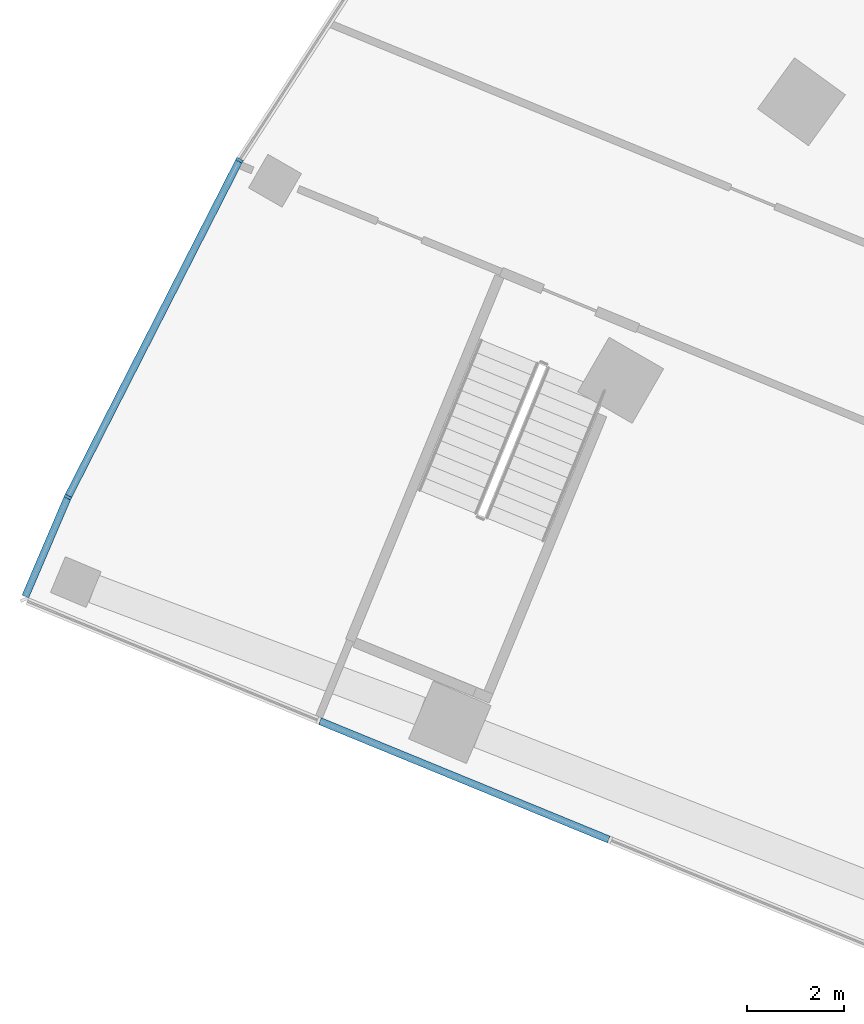
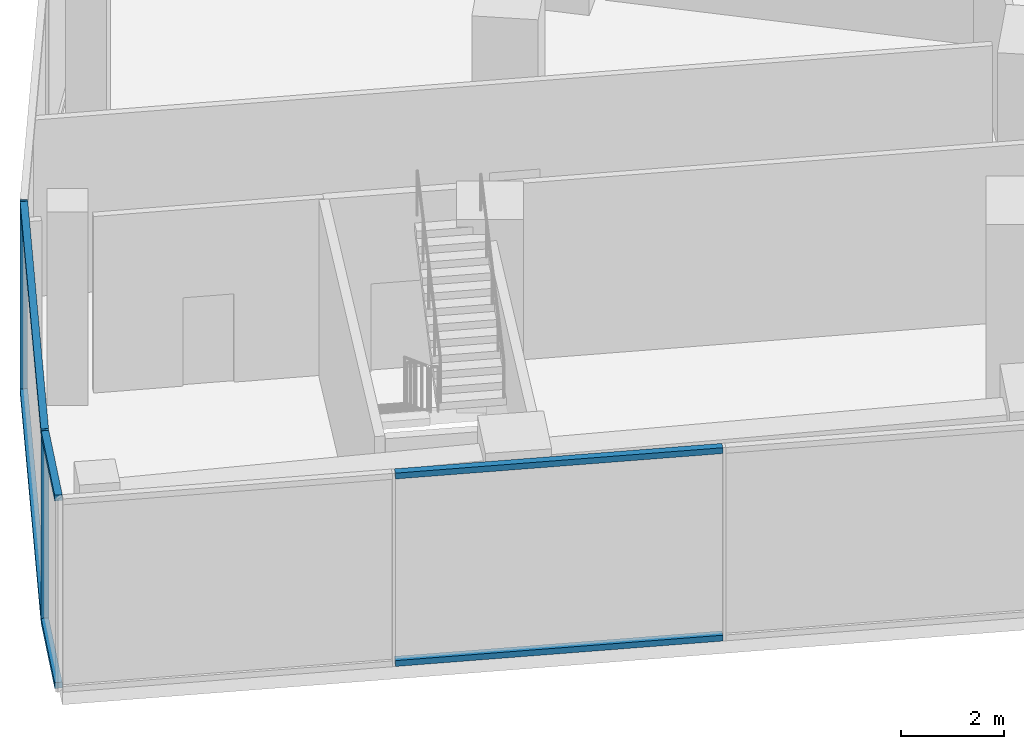
# One storey, part 3 of 40: 8 members, 2 elements without a shape of their own.
"""IFC4 building model written with IfcOpenShell, lengths in metres."""

from ifc_helpers import new_model, si_unit, direction, frame, origin, origin_2d, place, context, subcontext, project, spatial, rectangle, extrude, material, layer, layer_set, material_profile, profile_set, type_object, element, aggregate, save


model = new_model("IFC4")

# Units and contexts
model_context = context("Model", 3, precision=1e-05, world=origin(), true_north=direction((0.0, 1.0)))
body_context = subcontext(model_context, "Body", "Model", "MODEL_VIEW")
ifc_project = project(units=[si_unit("LENGTHUNIT", "METRE"), si_unit("AREAUNIT", "SQUARE_METRE"), si_unit("VOLUMEUNIT", "CUBIC_METRE"), si_unit("PLANEANGLEUNIT", "RADIAN"), si_unit("MASSUNIT", "GRAM", prefix="KILO")], contexts=[model_context])

# Site, building, storey
site_placement = place(None, origin())
site = spatial("IfcSite", under=ifc_project, at=site_placement, CompositionType="ELEMENT")
building_placement = place(site_placement, origin())
building = spatial("IfcBuilding", under=site, at=building_placement, Name="Stone Belt Terrace Tower", CompositionType="ELEMENT")
storey_placement = place(building_placement, frame((0.0, 0.0, 11.60009765625)))
storey = spatial("IfcBuildingStorey", under=building, at=storey_placement, Name="L02", CompositionType="ELEMENT", Elevation=11.60009765625)

# Curtain wall, members
ifc_material = material(Name="Aluminium 6063-T6 anodised frame", Category="aluminium")
ifc_layer = layer(ifc_material, 0.14990234375)
ifc_layer_set = layer_set([ifc_layer], Name="CW-D podium shopfront")
curtain_wall_type = type_object("IfcCurtainWallType", Name="CW-D podium shopfront", PredefinedType="NOTDEFINED", material=ifc_layer_set)
curtain_wall_1_placement = place(storey_placement, origin())
curtain_wall_1 = element("IfcCurtainWall", 1, at=curtain_wall_1_placement, inside=storey, type_object=curtain_wall_type, Name="CW-D convex face L02", PredefinedType="NOTDEFINED")
ifc_material_profile_1 = material_profile(ifc_material, rectangle(XDim=0.14990234375, YDim=0.06005859375, at=origin_2d()), Name="Aluminium 6063-T6 60x150")
ifc_profile_set_1 = profile_set([ifc_material_profile_1], Name="Aluminium 6063-T6 anodised frame")
member_type_1 = type_object("IfcMemberType", Name="CW-D mullion 60 x 150", PredefinedType="MULLION", material=ifc_profile_set_1)
member_1_placement = place(storey_placement, frame((-64.583984375, 37.28759765625, 0.0), z_axis=(0.0, 0.0, 1.0), x_axis=(0.866025403784, -0.5, 0.0)))
member_1 = element("IfcMember", 2, at=member_1_placement, type_object=member_type_1, Name="CW-D mullion 23", PredefinedType="MULLION", context=body_context, shape_type="SweptSolid", body=[
    extrude(rectangle(XDim=0.14990234375, YDim=0.06005859375, at=origin_2d()), origin(), (0.0, 0.0, 1.0), 4.599853515625),
])
member_2_placement = place(storey_placement, frame((-68.127197265625, 30.333740234375, 0.0), z_axis=(0.0, 0.0, 1.0), x_axis=(0.905778201442, -0.423752108895, 0.0)))
member_2 = element("IfcMember", 3, at=member_2_placement, type_object=member_type_1, Name="CW-D mullion 24", PredefinedType="MULLION", context=body_context, shape_type="SweptSolid", body=[
    extrude(rectangle(XDim=0.14990234375, YDim=0.06005859375, at=origin_2d()), origin(), (0.0, 0.0, 1.0), 4.599853515625),
])
ifc_material_profile_2 = material_profile(ifc_material, rectangle(XDim=0.14990234375, YDim=0.139892578125, at=origin_2d()), Name="Aluminium 6063-T6 150x140")
ifc_profile_set_2 = profile_set([ifc_material_profile_2], Name="Aluminium 6063-T6 anodised frame")
member_type_2 = type_object("IfcMemberType", Name="CW-D transom 140 x 150", PredefinedType="USERDEFINED", material=ifc_profile_set_2)
member_3_placement = place(storey_placement, frame((-64.599365234375, 37.25732421875, 0.06982421875), z_axis=(-0.453977770034, -0.891013010183, 0.0), x_axis=(0.891013010183, -0.453977770034, 0.0)))
member_3 = element("IfcMember", 4, at=member_3_placement, type_object=member_type_2, Name="CW-D transom 23.1", ObjectType="TRANSOM", PredefinedType="USERDEFINED", context=body_context, shape_type="SweptSolid", body=[
    extrude(rectangle(XDim=0.14990234375, YDim=0.139892578125, at=origin_2d()), origin(), (0.0, 0.0, 1.0), 7.738037109375),
])
member_4_placement = place(storey_placement, frame((-64.599365234375, 37.25732421875, 4.52978515625), z_axis=(-0.453977770034, -0.891013010183, 0.0), x_axis=(0.891013010183, -0.453977770034, 0.0)))
member_4 = element("IfcMember", 5, at=member_4_placement, type_object=member_type_2, Name="CW-D transom 23.2", ObjectType="TRANSOM", PredefinedType="USERDEFINED", context=body_context, shape_type="SweptSolid", body=[
    extrude(rectangle(XDim=0.14990234375, YDim=0.139892578125, at=origin_2d()), origin(), (0.0, 0.0, 1.0), 7.738037109375),
])
member_5_placement = place(storey_placement, frame((-68.139892578125, 30.3037109375, 0.06982421875), z_axis=(-0.39299460879, -0.919540775312, 0.0), x_axis=(0.919540775312, -0.39299460879, 0.0)))
member_5 = element("IfcMember", 6, at=member_5_placement, type_object=member_type_2, Name="CW-D transom 24.1", ObjectType="TRANSOM", PredefinedType="USERDEFINED", context=body_context, shape_type="SweptSolid", body=[
    extrude(rectangle(XDim=0.14990234375, YDim=0.139892578125, at=origin_2d()), origin(), (0.0, 0.0, 1.0), 2.19921875),
])
member_6_placement = place(storey_placement, frame((-68.139892578125, 30.3037109375, 4.52978515625), z_axis=(-0.39299460879, -0.919540775312, 0.0), x_axis=(0.919540775312, -0.39299460879, 0.0)))
member_6 = element("IfcMember", 7, at=member_6_placement, type_object=member_type_2, Name="CW-D transom 24.2", ObjectType="TRANSOM", PredefinedType="USERDEFINED", context=body_context, shape_type="SweptSolid", body=[
    extrude(rectangle(XDim=0.14990234375, YDim=0.139892578125, at=origin_2d()), origin(), (0.0, 0.0, 1.0), 2.19921875),
])
aggregate(curtain_wall_1, [member_1, member_2, member_3, member_4, member_5, member_6])

curtain_wall_2_placement = place(storey_placement, origin())
curtain_wall_2 = element("IfcCurtainWall", 8, at=curtain_wall_2_placement, inside=storey, type_object=curtain_wall_type, Name="CW-D end face L02", PredefinedType="NOTDEFINED")
member_7_placement = place(storey_placement, frame((-62.9208984375, 25.707763671875, 0.06982421875), z_axis=(0.925295543226, -0.3792468295, 0.0), x_axis=(0.3792468295, 0.925295543226, 0.0)))
member_7 = element("IfcMember", 9, at=member_7_placement, type_object=member_type_2, Name="CW-D transom 2.1", ObjectType="TRANSOM", PredefinedType="USERDEFINED", context=body_context, shape_type="SweptSolid", body=[
    extrude(rectangle(XDim=0.14990234375, YDim=0.139892578125, at=origin_2d()), origin(), (0.0, 0.0, 1.0), 6.440185546875),
])
member_8_placement = place(storey_placement, frame((-62.9208984375, 25.707763671875, 4.52978515625), z_axis=(0.925295543226, -0.3792468295, 0.0), x_axis=(0.3792468295, 0.925295543226, 0.0)))
member_8 = element("IfcMember", 10, at=member_8_placement, type_object=member_type_2, Name="CW-D transom 2.2", ObjectType="TRANSOM", PredefinedType="USERDEFINED", context=body_context, shape_type="SweptSolid", body=[
    extrude(rectangle(XDim=0.14990234375, YDim=0.139892578125, at=origin_2d()), origin(), (0.0, 0.0, 1.0), 6.440185546875),
])
aggregate(curtain_wall_2, [member_7, member_8])

save(model, "model.ifc")
